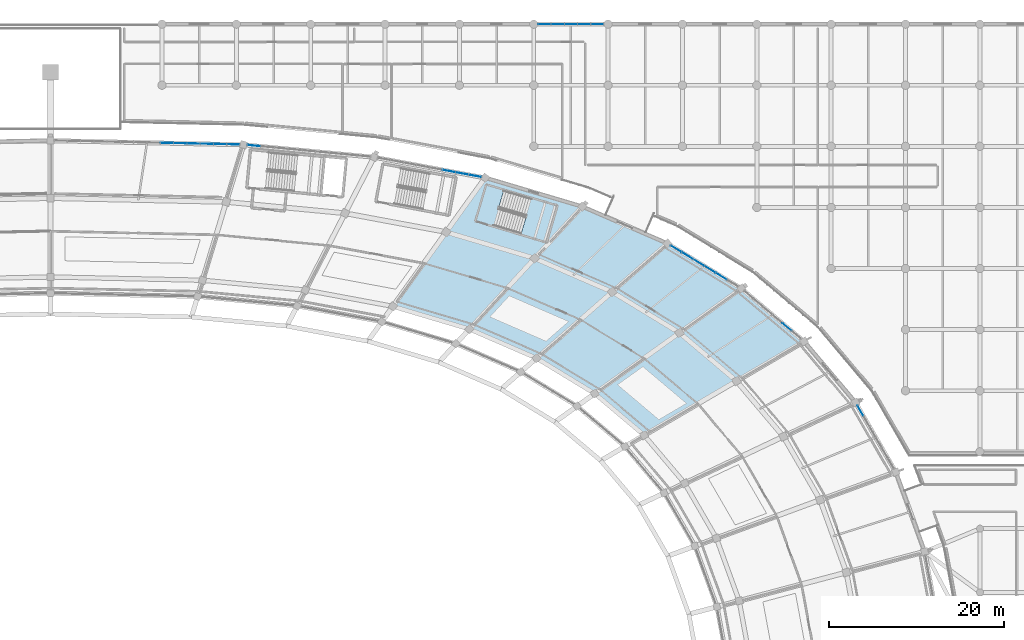
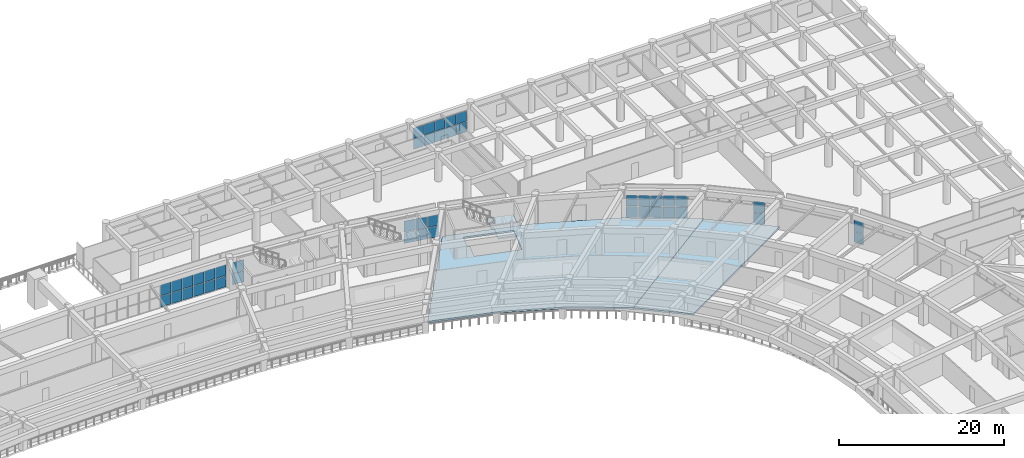
# One storey, part 90 of 145: 44 plates, 3 slabs, 8 elements without a shape of their own.
"""IFC4 building model written with IfcOpenShell, lengths in metres."""

import ifcopenshell
import ifcopenshell.guid

model = None  # the IFC model being written
_history = None  # IfcOwnerHistory: only IFC2X3 demands one
_inside = {}  # id of a spatial element -> (the spatial element, [elements in it])
_under = {}  # id of a project, library or spatial element -> (it, [spatial elements below it])
_declared = {}  # id of a project -> (the project, [libraries it declares])
_typed = {}  # id of a type object -> (the type object, [elements of that type])
_made_of = {}  # id of a material, layer set ... -> (it, [elements and type objects made of it])


def new_model(schema):
    """Start an empty IFC model of exactly this schema.

    Asked for "IFC4X3", IfcOpenShell would pick the latest addendum, in which some entities
    have other attributes; the version numbers below select the first issue.
    IFC2X3 requires an IfcOwnerHistory on every rooted entity: one is made here for all.
    """
    global model, _history
    if schema == "IFC4X3":
        model = ifcopenshell.file(schema_version=(4, 3, 0, 0))
    else:
        model = ifcopenshell.file(schema=schema)
    _inside.clear()
    _under.clear()
    _declared.clear()
    _typed.clear()
    _made_of.clear()
    _history = None
    if model.schema == "IFC2X3":
        org = make("IfcOrganization", Name="unknown")
        user = make(
            "IfcPersonAndOrganization",
            ThePerson=make("IfcPerson", FamilyName="unknown"),
            TheOrganization=org,
        )
        app = make(
            "IfcApplication",
            ApplicationDeveloper=org,
            Version="unknown",
            ApplicationFullName="unknown",
            ApplicationIdentifier="unknown",
        )
        _history = make(
            "IfcOwnerHistory",
            OwningUser=user,
            OwningApplication=app,
            ChangeAction="ADDED",
            CreationDate=0,
        )
    return model


def make(cls, **values):
    """One entity of the class cls with the attributes given. An attribute that is None is left unset."""
    return model.create_entity(
        cls, **{name: value for name, value in values.items() if value is not None}
    )


def rooted(cls, **values):
    """An entity with a GlobalId (a new one), such as an element, a storey or a relation."""
    return make(cls, GlobalId=ifcopenshell.guid.new(), OwnerHistory=_history, **values)


def si_unit(unit_type, name, prefix=None):
    """IfcSIUnit, for example si_unit("LENGTHUNIT", "METRE", prefix="MILLI")."""
    return make("IfcSIUnit", UnitType=unit_type, Prefix=prefix, Name=name)


def assignment(units):
    """IfcUnitAssignment: the units of a project."""
    return None if units is None else make("IfcUnitAssignment", Units=units)


def point(xyz):
    """IfcCartesianPoint."""
    return None if xyz is None else make("IfcCartesianPoint", Coordinates=xyz)


def direction(xyz):
    """IfcDirection."""
    return None if xyz is None else make("IfcDirection", DirectionRatios=xyz)


def frame(location, z_axis=None, x_axis=None):
    """IfcAxis2Placement3D, a coordinate frame: its origin and axes. An axis left out is left unset."""
    return make(
        "IfcAxis2Placement3D",
        Location=point(location),
        Axis=direction(z_axis),
        RefDirection=direction(x_axis),
    )


def frame_2d(location, x_axis=None):
    """IfcAxis2Placement2D, a coordinate frame in the plane: its origin and x axis."""
    return make(
        "IfcAxis2Placement2D", Location=point(location), RefDirection=direction(x_axis)
    )


def origin():
    """The frame at (0, 0, 0) with its axes left unset."""
    return frame((0.0, 0.0, 0.0))


def origin_2d():
    """The frame at (0, 0) in the plane with its x axis left unset."""
    return frame_2d((0.0, 0.0))


def place(relative_to, where):
    """IfcLocalPlacement: puts the frame where relative to a parent placement (None: the world)."""
    return make(
        "IfcLocalPlacement", PlacementRelTo=relative_to, RelativePlacement=where
    )


def context(
    kind, dimensions, precision=None, world=None, true_north=None, identifier=None
):
    """IfcGeometricRepresentationContext, for example the 3D "Model" context."""
    return make(
        "IfcGeometricRepresentationContext",
        ContextIdentifier=identifier,
        ContextType=kind,
        CoordinateSpaceDimension=dimensions,
        Precision=precision,
        WorldCoordinateSystem=world,
        TrueNorth=true_north,
    )


def subcontext(parent, identifier, kind, view, scale=None):
    """IfcGeometricRepresentationSubContext, for example "Body" below "Model"."""
    return make(
        "IfcGeometricRepresentationSubContext",
        ContextIdentifier=identifier,
        ContextType=kind,
        ParentContext=parent,
        TargetScale=scale,
        TargetView=view,
    )


def project(units=None, contexts=None):
    """IfcProject with its units and contexts."""
    return rooted(
        "IfcProject",
        Name="project",
        RepresentationContexts=contexts,
        UnitsInContext=assignment(units),
    )


def spatial(cls, under=None, at=None, **own):
    """A site, building, storey or space (cls), placed at a placement, below another one or the project."""
    s = rooted(cls, ObjectPlacement=at, **own)
    if under is not None:
        _under.setdefault(under.id(), (under, []))[1].append(s)
    return s


def polyline(points):
    """IfcPolyline through the points."""
    return make("IfcPolyline", Points=[point(p) for p in points])


def profile(cls, at=None, kind="AREA", **sizes):
    """A parametric profile (cls). Its sizes go by their IFC names, for example OverallWidth=200.0."""
    return make(cls, ProfileType=kind, Position=at, **sizes)


def rectangle(**sizes):
    """IfcRectangleProfileDef."""
    return profile("IfcRectangleProfileDef", **sizes)


def outline(outer, holes=None, kind="AREA"):
    """IfcArbitraryClosedProfileDef: a profile drawn as a closed curve; with holes, ...WithVoids."""
    if holes is None:
        return make("IfcArbitraryClosedProfileDef", ProfileType=kind, OuterCurve=outer)
    return make(
        "IfcArbitraryProfileDefWithVoids",
        ProfileType=kind,
        OuterCurve=outer,
        InnerCurves=holes,
    )


def extrude(swept, where, along, depth):
    """IfcExtrudedAreaSolid: the profile swept, set in the frame where, extruded along a direction by depth."""
    return make(
        "IfcExtrudedAreaSolid",
        SweptArea=swept,
        Position=where,
        ExtrudedDirection=direction(along),
        Depth=depth,
    )


def shape(context_of_items, identifier, shape_type, items):
    """IfcShapeRepresentation: the items that make up one representation, for example the "Body"."""
    return make(
        "IfcShapeRepresentation",
        ContextOfItems=context_of_items,
        RepresentationIdentifier=identifier,
        RepresentationType=shape_type,
        Items=items,
    )


def material(Name=None, Category=None):
    """IfcMaterial."""
    return make("IfcMaterial", Name=Name, Category=Category)


def layer(
    of_material, thickness, ventilated=None, Name=None, Category=None, Priority=None
):
    """IfcMaterialLayer: one layer of a wall or slab, of a material (None: an air gap)."""
    return make(
        "IfcMaterialLayer",
        Material=of_material,
        LayerThickness=thickness,
        IsVentilated=ventilated,
        Name=Name,
        Category=Category,
        Priority=Priority,
    )


def layer_set(layers, Name=None):
    """IfcMaterialLayerSet."""
    return make("IfcMaterialLayerSet", MaterialLayers=layers, LayerSetName=Name)


def made_of(thing, what):
    """Note that an element or type object is made of a material, layer set ...; save() writes the relation."""
    if what is not None:
        _made_of.setdefault(what.id(), (what, []))[1].append(thing)
    return thing


def type_object(cls, material=None, **own):
    """A type object (cls), such as IfcWallType, which elements share."""
    return made_of(rooted(cls, **own), material)


def element(
    cls,
    number,
    at=None,
    inside=None,
    cuts=None,
    type_object=None,
    material=None,
    context=None,
    identifier="Body",
    shape_type=None,
    held_by="IfcProductDefinitionShape",
    body=None,
    shapes=None,
    **own,
):
    """One element of the class cls, such as IfcWall. Its Tag is "e" and its number.

    at: its placement. inside: the storey or other place that contains it. cuts: it is an
    opening in that element (IfcRelVoidsElement). A single representation is given by context,
    identifier, shape_type and body (its items); several are given by shapes. held_by: the class
    of the entity that holds the representations. save() writes the other relations.
    """
    e = rooted(cls, Tag="e%d" % number, ObjectPlacement=at, **own)
    if body is not None:
        shapes = [shape(context, identifier, shape_type, body)]
    if shapes is not None:
        e.Representation = make(held_by, Representations=shapes)
    if inside is not None:
        _inside.setdefault(inside.id(), (inside, []))[1].append(e)
    if cuts is not None:
        rooted(
            "IfcRelVoidsElement", RelatingBuildingElement=cuts, RelatedOpeningElement=e
        )
    if type_object is not None:
        _typed.setdefault(type_object.id(), (type_object, []))[1].append(e)
    return made_of(e, material)


def aggregate(whole, parts):
    """IfcRelAggregates: a whole, such as a stair, and the parts it consists of."""
    return rooted("IfcRelAggregates", RelatingObject=whole, RelatedObjects=parts)


def save(model, path):
    """Write the relations noted so far, then the file.

    IfcRelAggregates (storeys below a building ...), IfcRelContainedInSpatialStructure (elements
    in a storey), IfcRelDefinesByType, IfcRelAssociatesMaterial and IfcRelDeclares: one each for
    every whole, place, type object, material and project.
    """
    for whole, parts in _under.values():
        aggregate(whole, parts)
    for where, things in _inside.values():
        rooted(
            "IfcRelContainedInSpatialStructure",
            RelatedElements=things,
            RelatingStructure=where,
        )
    for kind, things in _typed.values():
        rooted("IfcRelDefinesByType", RelatedObjects=things, RelatingType=kind)
    for what, things in _made_of.values():
        rooted("IfcRelAssociatesMaterial", RelatedObjects=things, RelatingMaterial=what)
    for by, libraries in _declared.values():
        rooted("IfcRelDeclares", RelatingContext=by, RelatedDefinitions=libraries)
    model.write(path)


model = new_model("IFC4")

# Units and contexts
model_context = context("Model", 3, precision=1e-05, world=origin(), true_north=direction((0.0, 1.0)))
body_context = subcontext(model_context, "Body", "Model", "MODEL_VIEW")
ifc_project = project(units=[si_unit("LENGTHUNIT", "METRE"), si_unit("AREAUNIT", "SQUARE_METRE"), si_unit("VOLUMEUNIT", "CUBIC_METRE"), si_unit("PLANEANGLEUNIT", "RADIAN"), si_unit("MASSUNIT", "GRAM", prefix="KILO")], contexts=[model_context])

# Site, building, storey
site_placement = place(None, origin())
site = spatial("IfcSite", under=ifc_project, at=site_placement, CompositionType="ELEMENT")
building_placement = place(site_placement, origin())
building = spatial("IfcBuilding", under=site, at=building_placement, Name="Mphavela Belvedere Stadium", CompositionType="ELEMENT")
storey_placement = place(building_placement, frame((0.0, 0.0, 10.199951171875)))
storey = spatial("IfcBuildingStorey", under=building, at=storey_placement, Name="L02", CompositionType="ELEMENT", Elevation=10.199951171875)

# Curtain wall, plates
ifc_material_1 = material(Name="Anodised bronze unitised curtain wall framing")
ifc_layer_1 = layer(ifc_material_1, 0.18505859375)
ifc_layer_set_1 = layer_set([ifc_layer_1], Name="Anodised bronze unitised curtain wall framing")
curtain_wall_type_1 = type_object("IfcCurtainWallType", Name="CW-UNIT-02", PredefinedType="USERDEFINED", material=ifc_layer_set_1)
curtain_wall_1_placement = place(storey_placement, origin())
curtain_wall_1 = element("IfcCurtainWall", 1, at=curtain_wall_1_placement, inside=storey, type_object=curtain_wall_type_1, Name="Belvedere colonnade curtain wall L02-04", ObjectType="UNITISED CURTAIN WALL", PredefinedType="USERDEFINED")
ifc_material_2 = material(Name="Solar-control double glazing", Category="glass")
ifc_layer_2 = layer(ifc_material_2, 0.031982421875)
ifc_layer_set_2 = layer_set([ifc_layer_2], Name="Solar-control double glazing")
plate_type = type_object("IfcPlateType", Name="CWP-SOLAR-GLASS", PredefinedType="CURTAIN_PANEL", material=ifc_layer_set_2)
plate_1_placement = place(storey_placement, frame((207.801025390625, 129.6953125, 0.06005859375), z_axis=(0.0, 0.0, 1.0), x_axis=(-0.500562469533, 0.865700418213, 0.0)))
plate_1 = element("IfcPlate", 2, at=plate_1_placement, type_object=plate_type, Name="CW-02 panel 6.1", PredefinedType="CURTAIN_PANEL", context=body_context, shape_type="SweptSolid", body=[
    extrude(rectangle(XDim=1.305908203125, YDim=0.031982421875, at=origin_2d()), origin(), (0.0, 0.0, 1.0), 1.6201171875),
])
plate_2_placement = place(storey_placement, frame((207.801025390625, 129.6953125, 1.739990234375), z_axis=(0.0, 0.0, 1.0), x_axis=(-0.500562469533, 0.865700418213, 0.0)))
plate_2 = element("IfcPlate", 3, at=plate_2_placement, type_object=plate_type, Name="CW-02 panel 6.2", PredefinedType="CURTAIN_PANEL", context=body_context, shape_type="SweptSolid", body=[
    extrude(rectangle(XDim=1.305908203125, YDim=0.031982421875, at=origin_2d()), origin(), (0.0, 0.0, 1.0), 1.6201171875),
])
aggregate(curtain_wall_1, [plate_1, plate_2])

ifc_material_3 = material(Name="Anodised bronze unitised curtain wall framing")
ifc_layer_3 = layer(ifc_material_3, 0.18994140625)
ifc_layer_set_3 = layer_set([ifc_layer_3], Name="Anodised bronze unitised curtain wall framing")
curtain_wall_type_2 = type_object("IfcCurtainWallType", Name="CW-UNIT-03", PredefinedType="USERDEFINED", material=ifc_layer_set_3)
curtain_wall_2_placement = place(storey_placement, origin())
curtain_wall_2 = element("IfcCurtainWall", 4, at=curtain_wall_2_placement, inside=storey, type_object=curtain_wall_type_2, Name="Belvedere colonnade curtain wall L02-06", ObjectType="UNITISED CURTAIN WALL", PredefinedType="USERDEFINED")
plate_3_placement = place(storey_placement, frame((199.390625, 139.297119140625, 0.06005859375), z_axis=(0.0, 0.0, 1.0), x_axis=(-0.764260865126, 0.644907225915, 0.0)))
plate_3 = element("IfcPlate", 5, at=plate_3_placement, type_object=plate_type, Name="CW-03 panel 2.1", PredefinedType="CURTAIN_PANEL", context=body_context, shape_type="SweptSolid", body=[
    extrude(rectangle(XDim=1.36865234375, YDim=0.031982421875, at=origin_2d()), origin(), (0.0, 0.0, 1.0), 1.6201171875),
])
plate_4_placement = place(storey_placement, frame((199.390625, 139.297119140625, 1.739990234375), z_axis=(0.0, 0.0, 1.0), x_axis=(-0.764260865126, 0.644907225915, 0.0)))
plate_4 = element("IfcPlate", 6, at=plate_4_placement, type_object=plate_type, Name="CW-03 panel 2.2", PredefinedType="CURTAIN_PANEL", context=body_context, shape_type="SweptSolid", body=[
    extrude(rectangle(XDim=1.36865234375, YDim=0.031982421875, at=origin_2d()), origin(), (0.0, 0.0, 1.0), 1.6201171875),
])
aggregate(curtain_wall_2, [plate_3, plate_4])

ifc_material_4 = material(Name="Anodised bronze unitised curtain wall framing")
ifc_layer_4 = layer(ifc_material_4, 0.195068359375)
ifc_layer_set_4 = layer_set([ifc_layer_4], Name="Anodised bronze unitised curtain wall framing")
curtain_wall_type_3 = type_object("IfcCurtainWallType", Name="CW-UNIT-04", PredefinedType="USERDEFINED", material=ifc_layer_set_4)
curtain_wall_3_placement = place(storey_placement, origin())
curtain_wall_3 = element("IfcCurtainWall", 7, at=curtain_wall_3_placement, inside=storey, type_object=curtain_wall_type_3, Name="Belvedere colonnade curtain wall L02-07", ObjectType="UNITISED CURTAIN WALL", PredefinedType="USERDEFINED")
plate_5_placement = place(storey_placement, frame((191.870849609375, 145.1044921875, 0.06005859375), z_axis=(0.0, 0.0, 1.0), x_axis=(-0.85432958476, 0.519731623633, 0.0)))
plate_5 = element("IfcPlate", 8, at=plate_5_placement, type_object=plate_type, Name="CW-04 panel 2.1", PredefinedType="CURTAIN_PANEL", context=body_context, shape_type="SweptSolid", body=[
    extrude(rectangle(XDim=1.45263671875, YDim=0.031982421875, at=origin_2d()), origin(), (0.0, 0.0, 1.0), 1.6201171875),
])
plate_6_placement = place(storey_placement, frame((191.870849609375, 145.1044921875, 1.739990234375), z_axis=(0.0, 0.0, 1.0), x_axis=(-0.85432958476, 0.519731623633, 0.0)))
plate_6 = element("IfcPlate", 9, at=plate_6_placement, type_object=plate_type, Name="CW-04 panel 2.2", PredefinedType="CURTAIN_PANEL", context=body_context, shape_type="SweptSolid", body=[
    extrude(rectangle(XDim=1.45263671875, YDim=0.031982421875, at=origin_2d()), origin(), (0.0, 0.0, 1.0), 1.6201171875),
])
plate_7_placement = place(storey_placement, frame((190.57421875, 145.893310546875, 0.06005859375), z_axis=(0.0, 0.0, 1.0), x_axis=(-0.85432958476, 0.519731623633, 0.0)))
plate_7 = element("IfcPlate", 10, at=plate_7_placement, type_object=plate_type, Name="CW-04 panel 3.1", PredefinedType="CURTAIN_PANEL", context=body_context, shape_type="SweptSolid", body=[
    extrude(rectangle(XDim=1.45263671875, YDim=0.031982421875, at=origin_2d()), origin(), (0.0, 0.0, 1.0), 1.6201171875),
])
plate_8_placement = place(storey_placement, frame((190.57421875, 145.893310546875, 1.739990234375), z_axis=(0.0, 0.0, 1.0), x_axis=(-0.85432958476, 0.519731623633, 0.0)))
plate_8 = element("IfcPlate", 11, at=plate_8_placement, type_object=plate_type, Name="CW-04 panel 3.2", PredefinedType="CURTAIN_PANEL", context=body_context, shape_type="SweptSolid", body=[
    extrude(rectangle(XDim=1.45263671875, YDim=0.031982421875, at=origin_2d()), origin(), (0.0, 0.0, 1.0), 1.6201171875),
])
plate_9_placement = place(storey_placement, frame((189.277587890625, 146.68212890625, 0.06005859375), z_axis=(0.0, 0.0, 1.0), x_axis=(-0.85432958476, 0.519731623633, 0.0)))
plate_9 = element("IfcPlate", 12, at=plate_9_placement, type_object=plate_type, Name="CW-04 panel 4.1", PredefinedType="CURTAIN_PANEL", context=body_context, shape_type="SweptSolid", body=[
    extrude(rectangle(XDim=1.45263671875, YDim=0.031982421875, at=origin_2d()), origin(), (0.0, 0.0, 1.0), 1.6201171875),
])
plate_10_placement = place(storey_placement, frame((189.277587890625, 146.68212890625, 1.739990234375), z_axis=(0.0, 0.0, 1.0), x_axis=(-0.85432958476, 0.519731623633, 0.0)))
plate_10 = element("IfcPlate", 13, at=plate_10_placement, type_object=plate_type, Name="CW-04 panel 4.2", PredefinedType="CURTAIN_PANEL", context=body_context, shape_type="SweptSolid", body=[
    extrude(rectangle(XDim=1.45263671875, YDim=0.031982421875, at=origin_2d()), origin(), (0.0, 0.0, 1.0), 1.6201171875),
])
plate_11_placement = place(storey_placement, frame((187.98095703125, 147.470947265625, 0.06005859375), z_axis=(0.0, 0.0, 1.0), x_axis=(-0.85432958476, 0.519731623633, 0.0)))
plate_11 = element("IfcPlate", 14, at=plate_11_placement, type_object=plate_type, Name="CW-04 panel 5.1", PredefinedType="CURTAIN_PANEL", context=body_context, shape_type="SweptSolid", body=[
    extrude(rectangle(XDim=1.45263671875, YDim=0.031982421875, at=origin_2d()), origin(), (0.0, 0.0, 1.0), 1.6201171875),
])
plate_12_placement = place(storey_placement, frame((187.98095703125, 147.470947265625, 1.739990234375), z_axis=(0.0, 0.0, 1.0), x_axis=(-0.85432958476, 0.519731623633, 0.0)))
plate_12 = element("IfcPlate", 15, at=plate_12_placement, type_object=plate_type, Name="CW-04 panel 5.2", PredefinedType="CURTAIN_PANEL", context=body_context, shape_type="SweptSolid", body=[
    extrude(rectangle(XDim=1.45263671875, YDim=0.031982421875, at=origin_2d()), origin(), (0.0, 0.0, 1.0), 1.6201171875),
])
plate_13_placement = place(storey_placement, frame((186.698486328125, 148.251220703125, 0.06005859375), z_axis=(0.0, 0.0, 1.0), x_axis=(-0.85432958476, 0.519731623633, 0.0)))
plate_13 = element("IfcPlate", 16, at=plate_13_placement, type_object=plate_type, Name="CW-04 panel 6.1", PredefinedType="CURTAIN_PANEL", context=body_context, shape_type="SweptSolid", body=[
    extrude(rectangle(XDim=1.420166015625, YDim=0.031982421875, at=origin_2d()), origin(), (0.0, 0.0, 1.0), 1.6201171875),
])
plate_14_placement = place(storey_placement, frame((186.698486328125, 148.251220703125, 1.739990234375), z_axis=(0.0, 0.0, 1.0), x_axis=(-0.85432958476, 0.519731623633, 0.0)))
plate_14 = element("IfcPlate", 17, at=plate_14_placement, type_object=plate_type, Name="CW-04 panel 6.2", PredefinedType="CURTAIN_PANEL", context=body_context, shape_type="SweptSolid", body=[
    extrude(rectangle(XDim=1.420166015625, YDim=0.031982421875, at=origin_2d()), origin(), (0.0, 0.0, 1.0), 1.6201171875),
])
aggregate(curtain_wall_3, [plate_5, plate_6, plate_7, plate_8, plate_9, plate_10, plate_11, plate_12, plate_13, plate_14])

ifc_material_5 = material(Name="Anodised bronze unitised curtain wall framing")
ifc_layer_5 = layer(ifc_material_5, 0.199951171875)
ifc_layer_set_5 = layer_set([ifc_layer_5], Name="Anodised bronze unitised curtain wall framing")
curtain_wall_type_4 = type_object("IfcCurtainWallType", Name="CW-UNIT-05", PredefinedType="USERDEFINED", material=ifc_layer_set_5)
curtain_wall_4_placement = place(storey_placement, origin())
curtain_wall_4 = element("IfcCurtainWall", 18, at=curtain_wall_4_placement, inside=storey, type_object=curtain_wall_type_4, Name="Belvedere colonnade curtain wall L02-10", ObjectType="UNITISED CURTAIN WALL", PredefinedType="USERDEFINED")
plate_15_placement = place(storey_placement, frame((163.647216796875, 156.61181640625, 0.06005859375), z_axis=(0.0, 0.0, 1.0), x_axis=(-0.983097097753, 0.1830849431, 0.0)))
plate_15 = element("IfcPlate", 19, at=plate_15_placement, type_object=plate_type, Name="CW-05 panel 1.1", PredefinedType="CURTAIN_PANEL", context=body_context, shape_type="SweptSolid", body=[
    extrude(rectangle(XDim=1.42138671875, YDim=0.031982421875, at=origin_2d()), origin(), (0.0, 0.0, 1.0), 1.6201171875),
])
plate_16_placement = place(storey_placement, frame((163.647216796875, 156.61181640625, 1.739990234375), z_axis=(0.0, 0.0, 1.0), x_axis=(-0.983097097753, 0.1830849431, 0.0)))
plate_16 = element("IfcPlate", 20, at=plate_16_placement, type_object=plate_type, Name="CW-05 panel 1.2", PredefinedType="CURTAIN_PANEL", context=body_context, shape_type="SweptSolid", body=[
    extrude(rectangle(XDim=1.42138671875, YDim=0.031982421875, at=origin_2d()), origin(), (0.0, 0.0, 1.0), 1.6201171875),
])
plate_17_placement = place(storey_placement, frame((162.170166015625, 156.886962890625, 0.06005859375), z_axis=(0.0, 0.0, 1.0), x_axis=(-0.983097097753, 0.1830849431, 0.0)))
plate_17 = element("IfcPlate", 21, at=plate_17_placement, type_object=plate_type, Name="CW-05 panel 2.1", PredefinedType="CURTAIN_PANEL", context=body_context, shape_type="SweptSolid", body=[
    extrude(rectangle(XDim=1.453857421875, YDim=0.031982421875, at=origin_2d()), origin(), (0.0, 0.0, 1.0), 1.6201171875),
])
plate_18_placement = place(storey_placement, frame((162.170166015625, 156.886962890625, 1.739990234375), z_axis=(0.0, 0.0, 1.0), x_axis=(-0.983097097753, 0.1830849431, 0.0)))
plate_18 = element("IfcPlate", 22, at=plate_18_placement, type_object=plate_type, Name="CW-05 panel 2.2", PredefinedType="CURTAIN_PANEL", context=body_context, shape_type="SweptSolid", body=[
    extrude(rectangle(XDim=1.453857421875, YDim=0.031982421875, at=origin_2d()), origin(), (0.0, 0.0, 1.0), 1.6201171875),
])
plate_19_placement = place(storey_placement, frame((160.6767578125, 157.1650390625, 0.06005859375), z_axis=(0.0, 0.0, 1.0), x_axis=(-0.983097097753, 0.1830849431, 0.0)))
plate_19 = element("IfcPlate", 23, at=plate_19_placement, type_object=plate_type, Name="CW-05 panel 3.1", PredefinedType="CURTAIN_PANEL", context=body_context, shape_type="SweptSolid", body=[
    extrude(rectangle(XDim=1.453857421875, YDim=0.031982421875, at=origin_2d()), origin(), (0.0, 0.0, 1.0), 1.6201171875),
])
plate_20_placement = place(storey_placement, frame((160.6767578125, 157.1650390625, 1.739990234375), z_axis=(0.0, 0.0, 1.0), x_axis=(-0.983097097753, 0.1830849431, 0.0)))
plate_20 = element("IfcPlate", 24, at=plate_20_placement, type_object=plate_type, Name="CW-05 panel 3.2", PredefinedType="CURTAIN_PANEL", context=body_context, shape_type="SweptSolid", body=[
    extrude(rectangle(XDim=1.453857421875, YDim=0.031982421875, at=origin_2d()), origin(), (0.0, 0.0, 1.0), 1.6201171875),
])
aggregate(curtain_wall_4, [plate_15, plate_16, plate_17, plate_18, plate_19, plate_20])

ifc_material_6 = material(Name="Anodised bronze unitised curtain wall framing")
ifc_layer_6 = layer(ifc_material_6, 0.205078125)
ifc_layer_set_6 = layer_set([ifc_layer_6], Name="Anodised bronze unitised curtain wall framing")
curtain_wall_type_5 = type_object("IfcCurtainWallType", Name="CW-UNIT-06", PredefinedType="USERDEFINED", material=ifc_layer_set_6)
curtain_wall_5_placement = place(storey_placement, origin())
curtain_wall_5 = element("IfcCurtainWall", 25, at=curtain_wall_5_placement, inside=storey, type_object=curtain_wall_type_5, Name="Belvedere colonnade curtain wall L02-11", ObjectType="UNITISED CURTAIN WALL", PredefinedType="USERDEFINED")
plate_21_placement = place(storey_placement, frame((138.31396484375, 160.079345703125, 0.06005859375), z_axis=(0.0, 0.0, 1.0), x_axis=(-0.99548434828, 0.094925825406, 0.0)))
plate_21 = element("IfcPlate", 26, at=plate_21_placement, type_object=plate_type, Name="CW-06 panel 9.1", PredefinedType="CURTAIN_PANEL", context=body_context, shape_type="SweptSolid", body=[
    extrude(rectangle(XDim=1.483642578125, YDim=0.031982421875, at=origin_2d()), origin(), (0.0, 0.0, 1.0), 1.6201171875),
])
plate_22_placement = place(storey_placement, frame((138.31396484375, 160.079345703125, 1.739990234375), z_axis=(0.0, 0.0, 1.0), x_axis=(-0.99548434828, 0.094925825406, 0.0)))
plate_22 = element("IfcPlate", 27, at=plate_22_placement, type_object=plate_type, Name="CW-06 panel 9.2", PredefinedType="CURTAIN_PANEL", context=body_context, shape_type="SweptSolid", body=[
    extrude(rectangle(XDim=1.483642578125, YDim=0.031982421875, at=origin_2d()), origin(), (0.0, 0.0, 1.0), 1.6201171875),
])
aggregate(curtain_wall_5, [plate_21, plate_22])

ifc_material_7 = material(Name="Anodised bronze unitised curtain wall framing")
ifc_layer_7 = layer(ifc_material_7, 0.179931640625)
ifc_layer_set_7 = layer_set([ifc_layer_7], Name="Anodised bronze unitised curtain wall framing")
curtain_wall_type_6 = type_object("IfcCurtainWallType", Name="CW-UNIT-01", PredefinedType="USERDEFINED", material=ifc_layer_set_7)
curtain_wall_6_placement = place(storey_placement, origin())
curtain_wall_6 = element("IfcCurtainWall", 28, at=curtain_wall_6_placement, inside=storey, type_object=curtain_wall_type_6, Name="Belvedere colonnade curtain wall L02-12", ObjectType="UNITISED CURTAIN WALL", PredefinedType="USERDEFINED")
plate_23_placement = place(storey_placement, frame((135.93896484375, 160.21923828125, 0.06005859375), z_axis=(0.0, 0.0, 1.0), x_axis=(-0.999768303802, 0.021525304021, 0.0)))
plate_23 = element("IfcPlate", 29, at=plate_23_placement, type_object=plate_type, Name="CW-01 panel 1.1", PredefinedType="CURTAIN_PANEL", context=body_context, shape_type="SweptSolid", body=[
    extrude(rectangle(XDim=1.425537109375, YDim=0.031982421875, at=origin_2d()), origin(), (0.0, 0.0, 1.0), 1.6201171875),
])
plate_24_placement = place(storey_placement, frame((135.93896484375, 160.21923828125, 1.739990234375), z_axis=(0.0, 0.0, 1.0), x_axis=(-0.999768303802, 0.021525304021, 0.0)))
plate_24 = element("IfcPlate", 30, at=plate_24_placement, type_object=plate_type, Name="CW-01 panel 1.2", PredefinedType="CURTAIN_PANEL", context=body_context, shape_type="SweptSolid", body=[
    extrude(rectangle(XDim=1.425537109375, YDim=0.031982421875, at=origin_2d()), origin(), (0.0, 0.0, 1.0), 1.6201171875),
])
plate_25_placement = place(storey_placement, frame((134.4326171875, 160.25146484375, 0.06005859375), z_axis=(0.0, 0.0, 1.0), x_axis=(-0.999768303802, 0.021525304021, 0.0)))
plate_25 = element("IfcPlate", 31, at=plate_25_placement, type_object=plate_type, Name="CW-01 panel 2.1", PredefinedType="CURTAIN_PANEL", context=body_context, shape_type="SweptSolid", body=[
    extrude(rectangle(XDim=1.4580078125, YDim=0.031982421875, at=origin_2d()), origin(), (0.0, 0.0, 1.0), 1.6201171875),
])
plate_26_placement = place(storey_placement, frame((134.4326171875, 160.25146484375, 1.739990234375), z_axis=(0.0, 0.0, 1.0), x_axis=(-0.999768303802, 0.021525304021, 0.0)))
plate_26 = element("IfcPlate", 32, at=plate_26_placement, type_object=plate_type, Name="CW-01 panel 2.2", PredefinedType="CURTAIN_PANEL", context=body_context, shape_type="SweptSolid", body=[
    extrude(rectangle(XDim=1.4580078125, YDim=0.031982421875, at=origin_2d()), origin(), (0.0, 0.0, 1.0), 1.6201171875),
])
plate_27_placement = place(storey_placement, frame((132.90966796875, 160.284423828125, 0.06005859375), z_axis=(0.0, 0.0, 1.0), x_axis=(-0.999768303802, 0.021525304021, 0.0)))
plate_27 = element("IfcPlate", 33, at=plate_27_placement, type_object=plate_type, Name="CW-01 panel 3.1", PredefinedType="CURTAIN_PANEL", context=body_context, shape_type="SweptSolid", body=[
    extrude(rectangle(XDim=1.4580078125, YDim=0.031982421875, at=origin_2d()), origin(), (0.0, 0.0, 1.0), 1.6201171875),
])
plate_28_placement = place(storey_placement, frame((132.90966796875, 160.284423828125, 1.739990234375), z_axis=(0.0, 0.0, 1.0), x_axis=(-0.999768303802, 0.021525304021, 0.0)))
plate_28 = element("IfcPlate", 34, at=plate_28_placement, type_object=plate_type, Name="CW-01 panel 3.2", PredefinedType="CURTAIN_PANEL", context=body_context, shape_type="SweptSolid", body=[
    extrude(rectangle(XDim=1.4580078125, YDim=0.031982421875, at=origin_2d()), origin(), (0.0, 0.0, 1.0), 1.6201171875),
])
plate_29_placement = place(storey_placement, frame((131.386962890625, 160.317138671875, 0.06005859375), z_axis=(0.0, 0.0, 1.0), x_axis=(-0.999768303802, 0.021525304021, 0.0)))
plate_29 = element("IfcPlate", 35, at=plate_29_placement, type_object=plate_type, Name="CW-01 panel 4.1", PredefinedType="CURTAIN_PANEL", context=body_context, shape_type="SweptSolid", body=[
    extrude(rectangle(XDim=1.4580078125, YDim=0.031982421875, at=origin_2d()), origin(), (0.0, 0.0, 1.0), 1.6201171875),
])
plate_30_placement = place(storey_placement, frame((131.386962890625, 160.317138671875, 1.739990234375), z_axis=(0.0, 0.0, 1.0), x_axis=(-0.999768303802, 0.021525304021, 0.0)))
plate_30 = element("IfcPlate", 36, at=plate_30_placement, type_object=plate_type, Name="CW-01 panel 4.2", PredefinedType="CURTAIN_PANEL", context=body_context, shape_type="SweptSolid", body=[
    extrude(rectangle(XDim=1.4580078125, YDim=0.031982421875, at=origin_2d()), origin(), (0.0, 0.0, 1.0), 1.6201171875),
])
plate_31_placement = place(storey_placement, frame((129.8642578125, 160.349853515625, 0.06005859375), z_axis=(0.0, 0.0, 1.0), x_axis=(-0.999768303802, 0.021525304021, 0.0)))
plate_31 = element("IfcPlate", 37, at=plate_31_placement, type_object=plate_type, Name="CW-01 panel 5.1", PredefinedType="CURTAIN_PANEL", context=body_context, shape_type="SweptSolid", body=[
    extrude(rectangle(XDim=1.4580078125, YDim=0.031982421875, at=origin_2d()), origin(), (0.0, 0.0, 1.0), 1.6201171875),
])
plate_32_placement = place(storey_placement, frame((129.8642578125, 160.349853515625, 1.739990234375), z_axis=(0.0, 0.0, 1.0), x_axis=(-0.999768303802, 0.021525304021, 0.0)))
plate_32 = element("IfcPlate", 38, at=plate_32_placement, type_object=plate_type, Name="CW-01 panel 5.2", PredefinedType="CURTAIN_PANEL", context=body_context, shape_type="SweptSolid", body=[
    extrude(rectangle(XDim=1.4580078125, YDim=0.031982421875, at=origin_2d()), origin(), (0.0, 0.0, 1.0), 1.6201171875),
])
plate_33_placement = place(storey_placement, frame((128.341552734375, 160.3828125, 0.06005859375), z_axis=(0.0, 0.0, 1.0), x_axis=(-0.999768303802, 0.021525304021, 0.0)))
plate_33 = element("IfcPlate", 39, at=plate_33_placement, type_object=plate_type, Name="CW-01 panel 6.1", PredefinedType="CURTAIN_PANEL", context=body_context, shape_type="SweptSolid", body=[
    extrude(rectangle(XDim=1.4580078125, YDim=0.031982421875, at=origin_2d()), origin(), (0.0, 0.0, 1.0), 1.6201171875),
])
plate_34_placement = place(storey_placement, frame((128.341552734375, 160.3828125, 1.739990234375), z_axis=(0.0, 0.0, 1.0), x_axis=(-0.999768303802, 0.021525304021, 0.0)))
plate_34 = element("IfcPlate", 40, at=plate_34_placement, type_object=plate_type, Name="CW-01 panel 6.2", PredefinedType="CURTAIN_PANEL", context=body_context, shape_type="SweptSolid", body=[
    extrude(rectangle(XDim=1.4580078125, YDim=0.031982421875, at=origin_2d()), origin(), (0.0, 0.0, 1.0), 1.6201171875),
])
aggregate(curtain_wall_6, [plate_23, plate_24, plate_25, plate_26, plate_27, plate_28, plate_29, plate_30, plate_31, plate_32, plate_33, plate_34])

curtain_wall_7_placement = place(storey_placement, origin())
curtain_wall_7 = element("IfcCurtainWall", 41, at=curtain_wall_7_placement, inside=storey, type_object=curtain_wall_type_5, Name="North Mast and Ceremonial End Forecourt gallery curtain wall L02-21", ObjectType="UNITISED CURTAIN WALL", PredefinedType="USERDEFINED")
plate_35_placement = place(storey_placement, frame((171.616455078125, 174.0, 0.06005859375), z_axis=(0.0, 0.0, 1.0), x_axis=(1.0, 0.0, 0.0)))
plate_35 = element("IfcPlate", 42, at=plate_35_placement, type_object=plate_type, Name="CW-06 panel 1.1", PredefinedType="CURTAIN_PANEL", context=body_context, shape_type="SweptSolid", body=[
    extrude(rectangle(XDim=1.4169921875, YDim=0.031982421875, at=origin_2d()), origin(), (0.0, 0.0, 1.0), 1.5400390625),
])
plate_36_placement = place(storey_placement, frame((171.616455078125, 174.0, 1.659912109375), z_axis=(0.0, 0.0, 1.0), x_axis=(1.0, 0.0, 0.0)))
plate_36 = element("IfcPlate", 43, at=plate_36_placement, type_object=plate_type, Name="CW-06 panel 1.2", PredefinedType="CURTAIN_PANEL", context=body_context, shape_type="SweptSolid", body=[
    extrude(rectangle(XDim=1.4169921875, YDim=0.031982421875, at=origin_2d()), origin(), (0.0, 0.0, 1.0), 1.5400390625),
])
plate_37_placement = place(storey_placement, frame((173.114990234375, 174.0, 0.06005859375), z_axis=(0.0, 0.0, 1.0), x_axis=(1.0, 0.0, 0.0)))
plate_37 = element("IfcPlate", 44, at=plate_37_placement, type_object=plate_type, Name="CW-06 panel 2.1", PredefinedType="CURTAIN_PANEL", context=body_context, shape_type="SweptSolid", body=[
    extrude(rectangle(XDim=1.44970703125, YDim=0.031982421875, at=origin_2d()), origin(), (0.0, 0.0, 1.0), 1.5400390625),
])
plate_38_placement = place(storey_placement, frame((173.114990234375, 174.0, 1.659912109375), z_axis=(0.0, 0.0, 1.0), x_axis=(1.0, 0.0, 0.0)))
plate_38 = element("IfcPlate", 45, at=plate_38_placement, type_object=plate_type, Name="CW-06 panel 2.2", PredefinedType="CURTAIN_PANEL", context=body_context, shape_type="SweptSolid", body=[
    extrude(rectangle(XDim=1.44970703125, YDim=0.031982421875, at=origin_2d()), origin(), (0.0, 0.0, 1.0), 1.5400390625),
])
plate_39_placement = place(storey_placement, frame((174.62939453125, 174.0, 0.06005859375), z_axis=(0.0, 0.0, 1.0), x_axis=(1.0, 0.0, 0.0)))
plate_39 = element("IfcPlate", 46, at=plate_39_placement, type_object=plate_type, Name="CW-06 panel 3.1", PredefinedType="CURTAIN_PANEL", context=body_context, shape_type="SweptSolid", body=[
    extrude(rectangle(XDim=1.44970703125, YDim=0.031982421875, at=origin_2d()), origin(), (0.0, 0.0, 1.0), 1.5400390625),
])
plate_40_placement = place(storey_placement, frame((174.62939453125, 174.0, 1.659912109375), z_axis=(0.0, 0.0, 1.0), x_axis=(1.0, 0.0, 0.0)))
plate_40 = element("IfcPlate", 47, at=plate_40_placement, type_object=plate_type, Name="CW-06 panel 3.2", PredefinedType="CURTAIN_PANEL", context=body_context, shape_type="SweptSolid", body=[
    extrude(rectangle(XDim=1.44970703125, YDim=0.031982421875, at=origin_2d()), origin(), (0.0, 0.0, 1.0), 1.5400390625),
])
plate_41_placement = place(storey_placement, frame((176.14404296875, 174.0, 0.06005859375), z_axis=(0.0, 0.0, 1.0), x_axis=(1.0, 0.0, 0.0)))
plate_41 = element("IfcPlate", 48, at=plate_41_placement, type_object=plate_type, Name="CW-06 panel 4.1", PredefinedType="CURTAIN_PANEL", context=body_context, shape_type="SweptSolid", body=[
    extrude(rectangle(XDim=1.44970703125, YDim=0.031982421875, at=origin_2d()), origin(), (0.0, 0.0, 1.0), 1.5400390625),
])
plate_42_placement = place(storey_placement, frame((176.14404296875, 174.0, 1.659912109375), z_axis=(0.0, 0.0, 1.0), x_axis=(1.0, 0.0, 0.0)))
plate_42 = element("IfcPlate", 49, at=plate_42_placement, type_object=plate_type, Name="CW-06 panel 4.2", PredefinedType="CURTAIN_PANEL", context=body_context, shape_type="SweptSolid", body=[
    extrude(rectangle(XDim=1.44970703125, YDim=0.031982421875, at=origin_2d()), origin(), (0.0, 0.0, 1.0), 1.5400390625),
])
plate_43_placement = place(storey_placement, frame((177.642333984375, 174.0, 0.06005859375), z_axis=(0.0, 0.0, 1.0), x_axis=(1.0, 0.0, 0.0)))
plate_43 = element("IfcPlate", 50, at=plate_43_placement, type_object=plate_type, Name="CW-06 panel 5.1", PredefinedType="CURTAIN_PANEL", context=body_context, shape_type="SweptSolid", body=[
    extrude(rectangle(XDim=1.4169921875, YDim=0.031982421875, at=origin_2d()), origin(), (0.0, 0.0, 1.0), 1.5400390625),
])
plate_44_placement = place(storey_placement, frame((177.642333984375, 174.0, 1.659912109375), z_axis=(0.0, 0.0, 1.0), x_axis=(1.0, 0.0, 0.0)))
plate_44 = element("IfcPlate", 51, at=plate_44_placement, type_object=plate_type, Name="CW-06 panel 5.2", PredefinedType="CURTAIN_PANEL", context=body_context, shape_type="SweptSolid", body=[
    extrude(rectangle(XDim=1.4169921875, YDim=0.031982421875, at=origin_2d()), origin(), (0.0, 0.0, 1.0), 1.5400390625),
])
aggregate(curtain_wall_7, [plate_35, plate_36, plate_37, plate_38, plate_39, plate_40, plate_41, plate_42, plate_43, plate_44])

# Slabs
ifc_material_8 = material(Name="Concrete C40/50", Category="concrete")
ifc_layer_8 = layer(ifc_material_8, 0.25)
ifc_layer_set_8 = layer_set([ifc_layer_8], Name="Concrete C40/50")
slab_type_1 = type_object("IfcSlabType", Name="SLB-CONCOURSE-250", PredefinedType="FLOOR", material=ifc_layer_set_8)
slab_1_placement = place(storey_placement, frame((0.0, 0.0, -0.25)))
element("IfcSlab", 52, at=slab_1_placement, inside=storey, type_object=slab_type_1, Name="Concourse sector slab L02-S1:2", PredefinedType="FLOOR", context=body_context, shape_type="SweptSolid", body=[
    extrude(outline(polyline([(201.33837890625, 137.653564453125), (183.01171875, 126.901611328125), (177.353759765625, 131.676025390625), (194.155517578125, 143.714599609375), (201.33837890625, 137.653564453125)])), origin(), (0.0, 0.0, 1.0), 0.25),
])
slab_2_placement = place(storey_placement, frame((0.0, 0.0, -0.25)))
element("IfcSlab", 53, at=slab_2_placement, inside=storey, type_object=slab_type_1, Name="Concourse sector slab L02-S2:1", PredefinedType="FLOOR", context=body_context, shape_type="SweptSolid", body=[
    extrude(outline(polyline([(170.68994140625, 135.72998046875), (163.002685546875, 139.0625), (154.230224609375, 141.66650390625), (164.80126953125, 156.39697265625), (175.9375, 153.09130859375), (185.6962890625, 148.86083984375), (194.155517578125, 143.714599609375), (177.353759765625, 131.676025390625), (170.68994140625, 135.72998046875)]), holes=[polyline([(172.96826171875, 153.139892578125), (166.932373046875, 154.93115234375), (166.336181640625, 152.9228515625), (166.658447265625, 152.8271484375), (166.0625, 150.818603515625), (171.77587890625, 149.123046875), (172.96826171875, 153.139892578125)])]), origin(), (0.0, 0.0, 1.0), 0.25),
])

# Stair, slab
ifc_material_9 = material(Name="Precast concrete C45/55", Category="concrete")
stair_type = type_object("IfcStairType", Name="STR-TWO-RET-1", PredefinedType="TWO_STRAIGHT_RUN_STAIR", material=ifc_material_9)
stair_placement = place(storey_placement, origin())
stair = element("IfcStair", 54, at=stair_placement, inside=storey, type_object=stair_type, Name="L02 Escape stair core P01", PredefinedType="TWO_STRAIGHT_RUN_STAIR")
ifc_material_10 = material(Name="Concrete C40/50", Category="concrete")
ifc_layer_9 = layer(ifc_material_10, 0.199951171875)
ifc_layer_set_9 = layer_set([ifc_layer_9], Name="Concrete C40/50")
slab_type_2 = type_object("IfcSlabType", Name="SLB-LANDING-200", PredefinedType="LANDING", material=ifc_layer_set_9)
slab_3_placement = place(storey_placement, frame((0.0, 0.0, 2.050048828125)))
slab_3 = element("IfcSlab", 55, at=slab_3_placement, type_object=slab_type_2, Name="ST-P01 landing 1", PredefinedType="LANDING", context=body_context, shape_type="SweptSolid", body=[
    extrude(outline(polyline([(168.882080078125, 149.856689453125), (171.741943359375, 149.008056640625), (173.002197265625, 153.2548828125), (169.80224609375, 154.20458984375), (169.172119140625, 152.081298828125), (169.512451171875, 151.97998046875), (168.882080078125, 149.856689453125)])), origin(), (0.0, 0.0, 1.0), 0.199951171875),
])
aggregate(stair, [slab_3])

save(model, "model.ifc")
